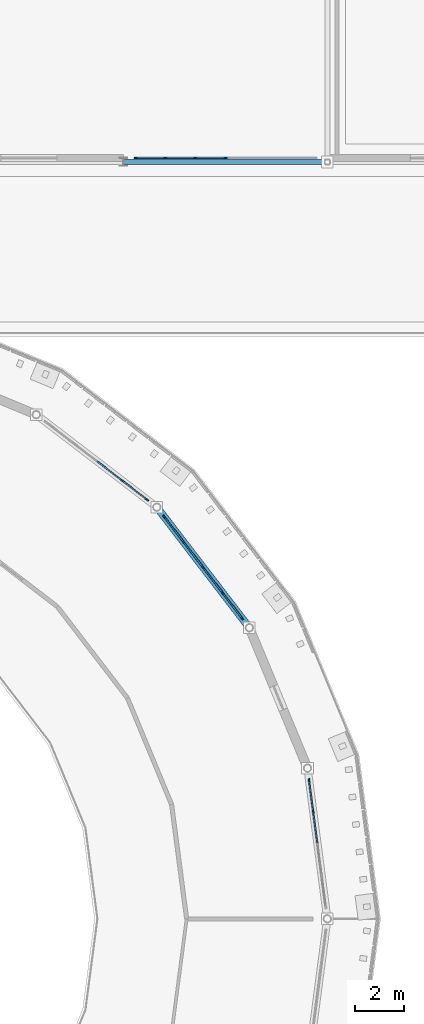
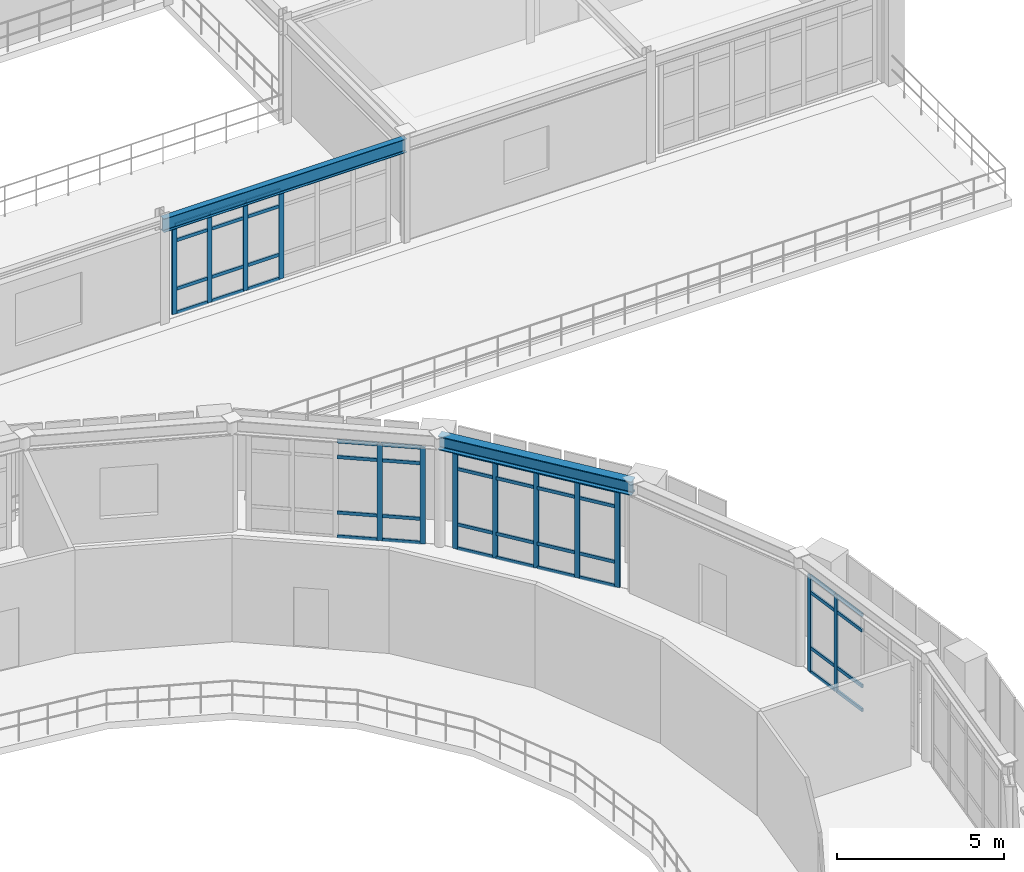
# One storey, part 28 of 58: 57 members, 2 beams, 4 elements without a shape of their own.
"""IFC4 building model written with IfcOpenShell, lengths in metres."""

from ifc_helpers import new_model, si_unit, derived_unit, direction, frame, origin, origin_2d, place, context, subcontext, project, spatial, rectangle, i_section, extrude, material, layer, layer_set, material_profile, profile_set, type_object, element, aggregate, save


model = new_model("IFC4")

# Units and contexts
model_context = context("Model", 3, precision=1e-05, world=origin(), true_north=direction((0.0, 1.0)))
body_context = subcontext(model_context, "Body", "Model", "MODEL_VIEW")
ifc_project = project(units=[si_unit("LENGTHUNIT", "METRE"), si_unit("AREAUNIT", "SQUARE_METRE"), si_unit("VOLUMEUNIT", "CUBIC_METRE"), si_unit("PLANEANGLEUNIT", "RADIAN"), si_unit("MASSUNIT", "GRAM", prefix="KILO"), derived_unit("THERMALTRANSMITTANCEUNIT", [(si_unit("POWERUNIT", "WATT"), 1), (si_unit("AREAUNIT", "SQUARE_METRE"), -1), (si_unit("THERMODYNAMICTEMPERATUREUNIT", "KELVIN"), -1)])], contexts=[model_context])

# Site, building, storey
site_placement = place(None, origin())
site = spatial("IfcSite", under=ifc_project, at=site_placement, CompositionType="ELEMENT")
building_placement = place(site_placement, origin())
building = spatial("IfcBuilding", under=site, at=building_placement, Name="Yasenodar Specialist Clinic", CompositionType="ELEMENT")
storey_placement = place(building_placement, frame((0.0, 0.0, 17.25)))
storey = spatial("IfcBuildingStorey", under=building, at=storey_placement, Name="L04", CompositionType="ELEMENT", Elevation=17.25)

# Beams
ifc_material_1 = material(Name="Steel S355", Category="steel")
ifc_material_profile_1 = material_profile(ifc_material_1, i_section(OverallWidth=0.300048828125, OverallDepth=0.5, WebThickness=0.014404296875, FlangeThickness=0.028076171875, FilletRadius=0.027099609375, at=origin_2d()), Name="HEB 500")
ifc_profile_set_1 = profile_set([ifc_material_profile_1], Name="Steel S355")
beam_type_1 = type_object("IfcBeamType", Name="BM-HEB500", PredefinedType="BEAM", material=ifc_profile_set_1)
beam_1_placement = place(storey_placement, frame((101.78466796875, 70.800048828125, 3.800048828125), z_axis=(-0.608761180103, 0.793353531283, 0.0), x_axis=(-0.793353531283, -0.608761180103, 0.0)))
element("IfcBeam", 1, at=beam_1_placement, inside=storey, type_object=beam_type_1, Name="L04 Drum V1 Roof Ring Beam", PredefinedType="BEAM", context=body_context, shape_type="SweptSolid", body=[
    extrude(i_section(OverallWidth=0.300048828125, OverallDepth=0.5, WebThickness=0.014404296875, FlangeThickness=0.028076171875, FilletRadius=0.027099609375, at=origin_2d()), origin(), (0.0, 0.0, 1.0), 6.26513671875),
])
ifc_material_profile_2 = material_profile(ifc_material_1, i_section(OverallWidth=0.199951171875, OverallDepth=0.5, WebThickness=0.01025390625, FlangeThickness=0.01611328125, FilletRadius=0.02099609375, at=origin_2d()), Name="IPE 500")
ifc_profile_set_2 = profile_set([ifc_material_profile_2], Name="Steel S355")
beam_type_2 = type_object("IfcBeamType", Name="BM-IPE500", PredefinedType="BEAM", material=ifc_profile_set_2)
beam_2_placement = place(storey_placement, frame((96.60009765625, 90.0, 3.5400390625), z_axis=(1.0, 0.0, 0.0), x_axis=(0.0, 1.0, 0.0)))
element("IfcBeam", 2, at=beam_2_placement, inside=storey, type_object=beam_type_2, Name="L04 Primary E-W Girder", PredefinedType="BEAM", context=body_context, shape_type="SweptSolid", body=[
    extrude(i_section(OverallWidth=0.199951171875, OverallDepth=0.5, WebThickness=0.01025390625, FlangeThickness=0.01611328125, FilletRadius=0.02099609375, at=origin_2d()), origin(), (0.0, 0.0, 1.0), 8.39990234375),
])

# Curtain wall, members
ifc_material_2 = material(Name="Bronze Anodized Aluminium and Triple Low-E Glass", Category="aluminium")
ifc_layer_1 = layer(ifc_material_2, 0.1669921875)
ifc_layer_set_1 = layer_set([ifc_layer_1], Name="Bronze Anodized Aluminium and Triple Low-E Glass")
curtain_wall_type_1 = type_object("IfcCurtainWallType", Name="CW-SYS-01", PredefinedType="USERDEFINED", material=ifc_layer_set_1)
curtain_wall_1_placement = place(storey_placement, origin())
curtain_wall_1 = element("IfcCurtainWall", 3, at=curtain_wall_1_placement, inside=storey, type_object=curtain_wall_type_1, Name="L04 Unitised Curtain Wall 056", ObjectType="UNITISED CURTAIN WALL", PredefinedType="USERDEFINED")
ifc_material_3 = material(Name="Bronze Anodized Aluminium", Category="aluminium")
ifc_material_profile_3 = material_profile(ifc_material_3, rectangle(XDim=0.06005859375, YDim=0.159912109375, at=origin_2d()), Name="CW-MULL 60x160")
ifc_profile_set_3 = profile_set([ifc_material_profile_3], Name="Bronze Anodized Aluminium")
member_type_1 = type_object("IfcMemberType", Name="CW-MULL-160", PredefinedType="MULLION", material=ifc_profile_set_3)
member_1_placement = place(storey_placement, frame((104.248779296875, 64.506103515625, 0.0), z_axis=(0.0, 0.0, 1.0), x_axis=(0.991446787601, 0.13051156024, 0.0)))
member_1 = element("IfcMember", 4, at=member_1_placement, type_object=member_type_1, Name="CW-01 mullion 1", PredefinedType="MULLION", context=body_context, shape_type="SweptSolid", body=[
    extrude(rectangle(XDim=0.06005859375, YDim=0.159912109375, at=origin_2d()), origin(), (0.0, 0.0, 1.0), 3.528076171875),
])
member_2_placement = place(storey_placement, frame((104.41796875, 63.220703125, 0.0), z_axis=(0.0, 0.0, 1.0), x_axis=(0.991446787601, 0.13051156024, 0.0)))
member_2 = element("IfcMember", 5, at=member_2_placement, type_object=member_type_1, Name="CW-01 mullion 2", PredefinedType="MULLION", context=body_context, shape_type="SweptSolid", body=[
    extrude(rectangle(XDim=0.06005859375, YDim=0.159912109375, at=origin_2d()), origin(), (0.0, 0.0, 1.0), 3.528076171875),
])

curtain_wall_2_placement = place(storey_placement, origin())
curtain_wall_2 = element("IfcCurtainWall", 6, at=curtain_wall_2_placement, inside=storey, type_object=curtain_wall_type_1, Name="L04 Unitised Curtain Wall 057", ObjectType="UNITISED CURTAIN WALL", PredefinedType="USERDEFINED")
member_3_placement = place(storey_placement, frame((98.281005859375, 75.365966796875, 0.0), z_axis=(0.0, 0.0, 1.0), x_axis=(0.793360558574, 0.608752021844, 0.0)))
member_3 = element("IfcMember", 7, at=member_3_placement, type_object=member_type_1, Name="CW-01 mullion 1", PredefinedType="MULLION", context=body_context, shape_type="SweptSolid", body=[
    extrude(rectangle(XDim=0.06005859375, YDim=0.159912109375, at=origin_2d()), origin(), (0.0, 0.0, 1.0), 3.528076171875),
])
member_4_placement = place(storey_placement, frame((99.0703125, 74.337646484375, 0.0), z_axis=(0.0, 0.0, 1.0), x_axis=(0.793360558574, 0.608752021844, 0.0)))
member_4 = element("IfcMember", 8, at=member_4_placement, type_object=member_type_1, Name="CW-01 mullion 2", PredefinedType="MULLION", context=body_context, shape_type="SweptSolid", body=[
    extrude(rectangle(XDim=0.06005859375, YDim=0.159912109375, at=origin_2d()), origin(), (0.0, 0.0, 1.0), 3.528076171875),
])
member_5_placement = place(storey_placement, frame((99.877685546875, 73.285400390625, 0.0), z_axis=(0.0, 0.0, 1.0), x_axis=(0.793360558574, 0.608752021844, 0.0)))
member_5 = element("IfcMember", 9, at=member_5_placement, type_object=member_type_1, Name="CW-01 mullion 3", PredefinedType="MULLION", context=body_context, shape_type="SweptSolid", body=[
    extrude(rectangle(XDim=0.06005859375, YDim=0.159912109375, at=origin_2d()), origin(), (0.0, 0.0, 1.0), 3.528076171875),
])
member_6_placement = place(storey_placement, frame((100.68505859375, 72.233154296875, 0.0), z_axis=(0.0, 0.0, 1.0), x_axis=(0.793360558574, 0.608752021844, 0.0)))
member_6 = element("IfcMember", 10, at=member_6_placement, type_object=member_type_1, Name="CW-01 mullion 4", PredefinedType="MULLION", context=body_context, shape_type="SweptSolid", body=[
    extrude(rectangle(XDim=0.06005859375, YDim=0.159912109375, at=origin_2d()), origin(), (0.0, 0.0, 1.0), 3.528076171875),
])
member_7_placement = place(storey_placement, frame((101.47412109375, 71.20458984375, 0.0), z_axis=(0.0, 0.0, 1.0), x_axis=(0.793360558574, 0.608752021844, 0.0)))
member_7 = element("IfcMember", 11, at=member_7_placement, type_object=member_type_1, Name="CW-01 mullion 5", PredefinedType="MULLION", context=body_context, shape_type="SweptSolid", body=[
    extrude(rectangle(XDim=0.06005859375, YDim=0.159912109375, at=origin_2d()), origin(), (0.0, 0.0, 1.0), 3.528076171875),
])

curtain_wall_3_placement = place(storey_placement, origin())
curtain_wall_3 = element("IfcCurtainWall", 12, at=curtain_wall_3_placement, inside=storey, type_object=curtain_wall_type_1, Name="L04 Unitised Curtain Wall 058", ObjectType="UNITISED CURTAIN WALL", PredefinedType="USERDEFINED")
member_8_placement = place(storey_placement, frame((96.53759765625, 76.8701171875, 0.0), z_axis=(0.0, 0.0, 1.0), x_axis=(0.608752021844, 0.793360558574, 0.0)))
member_8 = element("IfcMember", 13, at=member_8_placement, type_object=member_type_1, Name="CW-01 mullion 4", PredefinedType="MULLION", context=body_context, shape_type="SweptSolid", body=[
    extrude(rectangle(XDim=0.06005859375, YDim=0.159912109375, at=origin_2d()), origin(), (0.0, 0.0, 1.0), 3.528076171875),
])
member_9_placement = place(storey_placement, frame((97.56591796875, 76.0810546875, 0.0), z_axis=(0.0, 0.0, 1.0), x_axis=(0.608752021844, 0.793360558574, 0.0)))
member_9 = element("IfcMember", 14, at=member_9_placement, type_object=member_type_1, Name="CW-01 mullion 5", PredefinedType="MULLION", context=body_context, shape_type="SweptSolid", body=[
    extrude(rectangle(XDim=0.06005859375, YDim=0.159912109375, at=origin_2d()), origin(), (0.0, 0.0, 1.0), 3.528076171875),
])

ifc_layer_2 = layer(ifc_material_2, 0.215087890625)
ifc_layer_set_2 = layer_set([ifc_layer_2], Name="Bronze Anodized Aluminium and Triple Low-E Glass")
curtain_wall_type_2 = type_object("IfcCurtainWallType", Name="CW-SYS-05", PredefinedType="USERDEFINED", material=ifc_layer_set_2)
curtain_wall_4_placement = place(storey_placement, origin())
curtain_wall_4 = element("IfcCurtainWall", 15, at=curtain_wall_4_placement, inside=storey, type_object=curtain_wall_type_2, Name="L04 Unitised Curtain Wall 163", ObjectType="UNITISED CURTAIN WALL", PredefinedType="USERDEFINED")
member_10_placement = place(storey_placement, frame((100.800048828125, 90.169921875, 0.0), z_axis=(0.0, 0.0, 1.0), x_axis=(0.0, -1.0, 0.0)))
member_10 = element("IfcMember", 16, at=member_10_placement, type_object=member_type_1, Name="CW-05 mullion 4", PredefinedType="MULLION", context=body_context, shape_type="SweptSolid", body=[
    extrude(rectangle(XDim=0.06005859375, YDim=0.159912109375, at=origin_2d()), origin(), (0.0, 0.0, 1.0), 3.26806640625),
])
member_11_placement = place(storey_placement, frame((99.56005859375, 90.169921875, 0.0), z_axis=(0.0, 0.0, 1.0), x_axis=(0.0, -1.0, 0.0)))
member_11 = element("IfcMember", 17, at=member_11_placement, type_object=member_type_1, Name="CW-05 mullion 5", PredefinedType="MULLION", context=body_context, shape_type="SweptSolid", body=[
    extrude(rectangle(XDim=0.06005859375, YDim=0.159912109375, at=origin_2d()), origin(), (0.0, 0.0, 1.0), 3.26806640625),
])
member_12_placement = place(storey_placement, frame((98.320068359375, 90.169921875, 0.0), z_axis=(0.0, 0.0, 1.0), x_axis=(0.0, -1.0, 0.0)))
member_12 = element("IfcMember", 18, at=member_12_placement, type_object=member_type_1, Name="CW-05 mullion 6", PredefinedType="MULLION", context=body_context, shape_type="SweptSolid", body=[
    extrude(rectangle(XDim=0.06005859375, YDim=0.159912109375, at=origin_2d()), origin(), (0.0, 0.0, 1.0), 3.26806640625),
])
member_13_placement = place(storey_placement, frame((97.110107421875, 90.169921875, 0.0), z_axis=(0.0, 0.0, 1.0), x_axis=(0.0, -1.0, 0.0)))
member_13 = element("IfcMember", 19, at=member_13_placement, type_object=member_type_1, Name="CW-05 mullion 7", PredefinedType="MULLION", context=body_context, shape_type="SweptSolid", body=[
    extrude(rectangle(XDim=0.06005859375, YDim=0.159912109375, at=origin_2d()), origin(), (0.0, 0.0, 1.0), 3.26806640625),
])

# Member
ifc_material_profile_4 = material_profile(ifc_material_3, rectangle(XDim=0.06005859375, YDim=0.1201171875, at=origin_2d()), Name="CW-TRAN 60x120")
ifc_profile_set_4 = profile_set([ifc_material_profile_4], Name="Bronze Anodized Aluminium")
member_type_2 = type_object("IfcMemberType", Name="CW-TRAN-120", PredefinedType="USERDEFINED", material=ifc_profile_set_4)
member_14_placement = place(storey_placement, frame((104.252685546875, 64.476318359375, 0.030029296875), z_axis=(0.130520914683, -0.99144555616, 0.0), x_axis=(0.99144555616, 0.130520914683, 0.0)))
member_14 = element("IfcMember", 20, at=member_14_placement, type_object=member_type_2, Name="CW-01 transom 1.1", ObjectType="TRANSOM", PredefinedType="USERDEFINED", context=body_context, shape_type="SweptSolid", body=[
    extrude(rectangle(XDim=0.06005859375, YDim=0.1201171875, at=origin_2d()), origin(), (0.0, 0.0, 1.0), 1.236328125),
])

member_15_placement = place(storey_placement, frame((104.252685546875, 64.476318359375, 0.89990234375), z_axis=(0.130520914683, -0.99144555616, 0.0), x_axis=(0.99144555616, 0.130520914683, 0.0)))
member_15 = element("IfcMember", 21, at=member_15_placement, type_object=member_type_2, Name="CW-01 transom 1.2", ObjectType="TRANSOM", PredefinedType="USERDEFINED", context=body_context, shape_type="SweptSolid", body=[
    extrude(rectangle(XDim=0.06005859375, YDim=0.1201171875, at=origin_2d()), origin(), (0.0, 0.0, 1.0), 1.236328125),
])

member_16_placement = place(storey_placement, frame((104.252685546875, 64.476318359375, 2.927978515625), z_axis=(0.130520914683, -0.99144555616, 0.0), x_axis=(0.99144555616, 0.130520914683, 0.0)))
member_16 = element("IfcMember", 22, at=member_16_placement, type_object=member_type_2, Name="CW-01 transom 1.3", ObjectType="TRANSOM", PredefinedType="USERDEFINED", context=body_context, shape_type="SweptSolid", body=[
    extrude(rectangle(XDim=0.06005859375, YDim=0.1201171875, at=origin_2d()), origin(), (0.0, 0.0, 1.0), 1.236328125),
])

member_17_placement = place(storey_placement, frame((104.252685546875, 64.476318359375, 3.498046875), z_axis=(0.130520914683, -0.99144555616, 0.0), x_axis=(0.99144555616, 0.130520914683, 0.0)))
member_17 = element("IfcMember", 23, at=member_17_placement, type_object=member_type_2, Name="CW-01 transom 1.4", ObjectType="TRANSOM", PredefinedType="USERDEFINED", context=body_context, shape_type="SweptSolid", body=[
    extrude(rectangle(XDim=0.06005859375, YDim=0.1201171875, at=origin_2d()), origin(), (0.0, 0.0, 1.0), 1.236328125),
])

member_18_placement = place(storey_placement, frame((104.421875, 63.191162109375, 0.030029296875), z_axis=(0.13050936627, -0.991447076407, 0.0), x_axis=(0.991447076407, 0.13050936627, 0.0)))
member_18 = element("IfcMember", 24, at=member_18_placement, type_object=member_type_2, Name="CW-01 transom 2.1", ObjectType="TRANSOM", PredefinedType="USERDEFINED", context=body_context, shape_type="SweptSolid", body=[
    extrude(rectangle(XDim=0.06005859375, YDim=0.1201171875, at=origin_2d()), origin(), (0.0, 0.0, 1.0), 1.266357421875),
])

member_19_placement = place(storey_placement, frame((104.421875, 63.191162109375, 0.89990234375), z_axis=(0.13050936627, -0.991447076407, 0.0), x_axis=(0.991447076407, 0.13050936627, 0.0)))
member_19 = element("IfcMember", 25, at=member_19_placement, type_object=member_type_2, Name="CW-01 transom 2.2", ObjectType="TRANSOM", PredefinedType="USERDEFINED", context=body_context, shape_type="SweptSolid", body=[
    extrude(rectangle(XDim=0.06005859375, YDim=0.1201171875, at=origin_2d()), origin(), (0.0, 0.0, 1.0), 1.266357421875),
])

member_20_placement = place(storey_placement, frame((104.421875, 63.191162109375, 2.927978515625), z_axis=(0.13050936627, -0.991447076407, 0.0), x_axis=(0.991447076407, 0.13050936627, 0.0)))
member_20 = element("IfcMember", 26, at=member_20_placement, type_object=member_type_2, Name="CW-01 transom 2.3", ObjectType="TRANSOM", PredefinedType="USERDEFINED", context=body_context, shape_type="SweptSolid", body=[
    extrude(rectangle(XDim=0.06005859375, YDim=0.1201171875, at=origin_2d()), origin(), (0.0, 0.0, 1.0), 1.266357421875),
])

member_21_placement = place(storey_placement, frame((104.421875, 63.191162109375, 3.498046875), z_axis=(0.13050936627, -0.991447076407, 0.0), x_axis=(0.991447076407, 0.13050936627, 0.0)))
member_21 = element("IfcMember", 27, at=member_21_placement, type_object=member_type_2, Name="CW-01 transom 2.4", ObjectType="TRANSOM", PredefinedType="USERDEFINED", context=body_context, shape_type="SweptSolid", body=[
    extrude(rectangle(XDim=0.06005859375, YDim=0.1201171875, at=origin_2d()), origin(), (0.0, 0.0, 1.0), 1.266357421875),
])

aggregate(curtain_wall_1, [member_1, member_2, member_14, member_15, member_16, member_17, member_18, member_19, member_20, member_21])

member_22_placement = place(storey_placement, frame((98.29931640625, 75.34228515625, 0.030029296875), z_axis=(0.608746535642, -0.793364768151, 0.0), x_axis=(0.793364768151, 0.608746535642, 0.0)))
member_22 = element("IfcMember", 28, at=member_22_placement, type_object=member_type_2, Name="CW-01 transom 1.1", ObjectType="TRANSOM", PredefinedType="USERDEFINED", context=body_context, shape_type="SweptSolid", body=[
    extrude(rectangle(XDim=0.06005859375, YDim=0.1201171875, at=origin_2d()), origin(), (0.0, 0.0, 1.0), 1.236572265625),
])

member_23_placement = place(storey_placement, frame((98.29931640625, 75.34228515625, 0.89990234375), z_axis=(0.608746535642, -0.793364768151, 0.0), x_axis=(0.793364768151, 0.608746535642, 0.0)))
member_23 = element("IfcMember", 29, at=member_23_placement, type_object=member_type_2, Name="CW-01 transom 1.2", ObjectType="TRANSOM", PredefinedType="USERDEFINED", context=body_context, shape_type="SweptSolid", body=[
    extrude(rectangle(XDim=0.06005859375, YDim=0.1201171875, at=origin_2d()), origin(), (0.0, 0.0, 1.0), 1.236572265625),
])

member_24_placement = place(storey_placement, frame((98.29931640625, 75.34228515625, 2.927978515625), z_axis=(0.608746535642, -0.793364768151, 0.0), x_axis=(0.793364768151, 0.608746535642, 0.0)))
member_24 = element("IfcMember", 30, at=member_24_placement, type_object=member_type_2, Name="CW-01 transom 1.3", ObjectType="TRANSOM", PredefinedType="USERDEFINED", context=body_context, shape_type="SweptSolid", body=[
    extrude(rectangle(XDim=0.06005859375, YDim=0.1201171875, at=origin_2d()), origin(), (0.0, 0.0, 1.0), 1.236572265625),
])

member_25_placement = place(storey_placement, frame((98.29931640625, 75.34228515625, 3.498046875), z_axis=(0.608746535642, -0.793364768151, 0.0), x_axis=(0.793364768151, 0.608746535642, 0.0)))
member_25 = element("IfcMember", 31, at=member_25_placement, type_object=member_type_2, Name="CW-01 transom 1.4", ObjectType="TRANSOM", PredefinedType="USERDEFINED", context=body_context, shape_type="SweptSolid", body=[
    extrude(rectangle(XDim=0.06005859375, YDim=0.1201171875, at=origin_2d()), origin(), (0.0, 0.0, 1.0), 1.236572265625),
])

member_26_placement = place(storey_placement, frame((99.08837890625, 74.313720703125, 0.030029296875), z_axis=(0.608815963567, -0.793311491475, 0.0), x_axis=(0.793311491475, 0.608815963567, 0.0)))
member_26 = element("IfcMember", 32, at=member_26_placement, type_object=member_type_2, Name="CW-01 transom 2.1", ObjectType="TRANSOM", PredefinedType="USERDEFINED", context=body_context, shape_type="SweptSolid", body=[
    extrude(rectangle(XDim=0.06005859375, YDim=0.1201171875, at=origin_2d()), origin(), (0.0, 0.0, 1.0), 1.266357421875),
])

member_27_placement = place(storey_placement, frame((99.08837890625, 74.313720703125, 0.89990234375), z_axis=(0.608815963567, -0.793311491475, 0.0), x_axis=(0.793311491475, 0.608815963567, 0.0)))
member_27 = element("IfcMember", 33, at=member_27_placement, type_object=member_type_2, Name="CW-01 transom 2.2", ObjectType="TRANSOM", PredefinedType="USERDEFINED", context=body_context, shape_type="SweptSolid", body=[
    extrude(rectangle(XDim=0.06005859375, YDim=0.1201171875, at=origin_2d()), origin(), (0.0, 0.0, 1.0), 1.266357421875),
])

member_28_placement = place(storey_placement, frame((99.08837890625, 74.313720703125, 2.927978515625), z_axis=(0.608815963567, -0.793311491475, 0.0), x_axis=(0.793311491475, 0.608815963567, 0.0)))
member_28 = element("IfcMember", 34, at=member_28_placement, type_object=member_type_2, Name="CW-01 transom 2.3", ObjectType="TRANSOM", PredefinedType="USERDEFINED", context=body_context, shape_type="SweptSolid", body=[
    extrude(rectangle(XDim=0.06005859375, YDim=0.1201171875, at=origin_2d()), origin(), (0.0, 0.0, 1.0), 1.266357421875),
])

member_29_placement = place(storey_placement, frame((99.08837890625, 74.313720703125, 3.498046875), z_axis=(0.608815963567, -0.793311491475, 0.0), x_axis=(0.793311491475, 0.608815963567, 0.0)))
member_29 = element("IfcMember", 35, at=member_29_placement, type_object=member_type_2, Name="CW-01 transom 2.4", ObjectType="TRANSOM", PredefinedType="USERDEFINED", context=body_context, shape_type="SweptSolid", body=[
    extrude(rectangle(XDim=0.06005859375, YDim=0.1201171875, at=origin_2d()), origin(), (0.0, 0.0, 1.0), 1.266357421875),
])

member_30_placement = place(storey_placement, frame((99.895751953125, 73.261474609375, 0.030029296875), z_axis=(0.608815963567, -0.793311491475, 0.0), x_axis=(0.793311491475, 0.608815963567, 0.0)))
member_30 = element("IfcMember", 36, at=member_30_placement, type_object=member_type_2, Name="CW-01 transom 3.1", ObjectType="TRANSOM", PredefinedType="USERDEFINED", context=body_context, shape_type="SweptSolid", body=[
    extrude(rectangle(XDim=0.06005859375, YDim=0.1201171875, at=origin_2d()), origin(), (0.0, 0.0, 1.0), 1.266357421875),
])

member_31_placement = place(storey_placement, frame((99.895751953125, 73.261474609375, 0.89990234375), z_axis=(0.608815963567, -0.793311491475, 0.0), x_axis=(0.793311491475, 0.608815963567, 0.0)))
member_31 = element("IfcMember", 37, at=member_31_placement, type_object=member_type_2, Name="CW-01 transom 3.2", ObjectType="TRANSOM", PredefinedType="USERDEFINED", context=body_context, shape_type="SweptSolid", body=[
    extrude(rectangle(XDim=0.06005859375, YDim=0.1201171875, at=origin_2d()), origin(), (0.0, 0.0, 1.0), 1.266357421875),
])

member_32_placement = place(storey_placement, frame((99.895751953125, 73.261474609375, 2.927978515625), z_axis=(0.608815963567, -0.793311491475, 0.0), x_axis=(0.793311491475, 0.608815963567, 0.0)))
member_32 = element("IfcMember", 38, at=member_32_placement, type_object=member_type_2, Name="CW-01 transom 3.3", ObjectType="TRANSOM", PredefinedType="USERDEFINED", context=body_context, shape_type="SweptSolid", body=[
    extrude(rectangle(XDim=0.06005859375, YDim=0.1201171875, at=origin_2d()), origin(), (0.0, 0.0, 1.0), 1.266357421875),
])

member_33_placement = place(storey_placement, frame((99.895751953125, 73.261474609375, 3.498046875), z_axis=(0.608815963567, -0.793311491475, 0.0), x_axis=(0.793311491475, 0.608815963567, 0.0)))
member_33 = element("IfcMember", 39, at=member_33_placement, type_object=member_type_2, Name="CW-01 transom 3.4", ObjectType="TRANSOM", PredefinedType="USERDEFINED", context=body_context, shape_type="SweptSolid", body=[
    extrude(rectangle(XDim=0.06005859375, YDim=0.1201171875, at=origin_2d()), origin(), (0.0, 0.0, 1.0), 1.266357421875),
])

member_34_placement = place(storey_placement, frame((100.703369140625, 72.209228515625, 0.030029296875), z_axis=(0.608717606417, -0.793386964626, 0.0), x_axis=(0.793386964626, 0.608717606417, 0.0)))
member_34 = element("IfcMember", 40, at=member_34_placement, type_object=member_type_2, Name="CW-01 transom 4.1", ObjectType="TRANSOM", PredefinedType="USERDEFINED", context=body_context, shape_type="SweptSolid", body=[
    extrude(rectangle(XDim=0.06005859375, YDim=0.1201171875, at=origin_2d()), origin(), (0.0, 0.0, 1.0), 1.236083984375),
])

member_35_placement = place(storey_placement, frame((100.703369140625, 72.209228515625, 0.89990234375), z_axis=(0.608717606417, -0.793386964626, 0.0), x_axis=(0.793386964626, 0.608717606417, 0.0)))
member_35 = element("IfcMember", 41, at=member_35_placement, type_object=member_type_2, Name="CW-01 transom 4.2", ObjectType="TRANSOM", PredefinedType="USERDEFINED", context=body_context, shape_type="SweptSolid", body=[
    extrude(rectangle(XDim=0.06005859375, YDim=0.1201171875, at=origin_2d()), origin(), (0.0, 0.0, 1.0), 1.236083984375),
])

member_36_placement = place(storey_placement, frame((100.703369140625, 72.209228515625, 2.927978515625), z_axis=(0.608717606417, -0.793386964626, 0.0), x_axis=(0.793386964626, 0.608717606417, 0.0)))
member_36 = element("IfcMember", 42, at=member_36_placement, type_object=member_type_2, Name="CW-01 transom 4.3", ObjectType="TRANSOM", PredefinedType="USERDEFINED", context=body_context, shape_type="SweptSolid", body=[
    extrude(rectangle(XDim=0.06005859375, YDim=0.1201171875, at=origin_2d()), origin(), (0.0, 0.0, 1.0), 1.236083984375),
])

member_37_placement = place(storey_placement, frame((100.703369140625, 72.209228515625, 3.498046875), z_axis=(0.608717606417, -0.793386964626, 0.0), x_axis=(0.793386964626, 0.608717606417, 0.0)))
member_37 = element("IfcMember", 43, at=member_37_placement, type_object=member_type_2, Name="CW-01 transom 4.4", ObjectType="TRANSOM", PredefinedType="USERDEFINED", context=body_context, shape_type="SweptSolid", body=[
    extrude(rectangle(XDim=0.06005859375, YDim=0.1201171875, at=origin_2d()), origin(), (0.0, 0.0, 1.0), 1.236083984375),
])

aggregate(curtain_wall_2, [member_3, member_4, member_5, member_6, member_7, member_22, member_23, member_24, member_25, member_26, member_27, member_28, member_29, member_30, member_31, member_32, member_33, member_34, member_35, member_36, member_37])

member_38_placement = place(storey_placement, frame((95.509033203125, 77.659423828125, 0.030029296875), z_axis=(0.793311491475, -0.608815963567, 0.0), x_axis=(0.608815963567, 0.793311491475, 0.0)))
member_38 = element("IfcMember", 44, at=member_38_placement, type_object=member_type_2, Name="CW-01 transom 3.1", ObjectType="TRANSOM", PredefinedType="USERDEFINED", context=body_context, shape_type="SweptSolid", body=[
    extrude(rectangle(XDim=0.06005859375, YDim=0.1201171875, at=origin_2d()), origin(), (0.0, 0.0, 1.0), 1.266357421875),
])

member_39_placement = place(storey_placement, frame((95.509033203125, 77.659423828125, 0.89990234375), z_axis=(0.793311491475, -0.608815963567, 0.0), x_axis=(0.608815963567, 0.793311491475, 0.0)))
member_39 = element("IfcMember", 45, at=member_39_placement, type_object=member_type_2, Name="CW-01 transom 3.2", ObjectType="TRANSOM", PredefinedType="USERDEFINED", context=body_context, shape_type="SweptSolid", body=[
    extrude(rectangle(XDim=0.06005859375, YDim=0.1201171875, at=origin_2d()), origin(), (0.0, 0.0, 1.0), 1.266357421875),
])

member_40_placement = place(storey_placement, frame((95.509033203125, 77.659423828125, 2.927978515625), z_axis=(0.793311491475, -0.608815963567, 0.0), x_axis=(0.608815963567, 0.793311491475, 0.0)))
member_40 = element("IfcMember", 46, at=member_40_placement, type_object=member_type_2, Name="CW-01 transom 3.3", ObjectType="TRANSOM", PredefinedType="USERDEFINED", context=body_context, shape_type="SweptSolid", body=[
    extrude(rectangle(XDim=0.06005859375, YDim=0.1201171875, at=origin_2d()), origin(), (0.0, 0.0, 1.0), 1.266357421875),
])

member_41_placement = place(storey_placement, frame((95.509033203125, 77.659423828125, 3.498046875), z_axis=(0.793311491475, -0.608815963567, 0.0), x_axis=(0.608815963567, 0.793311491475, 0.0)))
member_41 = element("IfcMember", 47, at=member_41_placement, type_object=member_type_2, Name="CW-01 transom 3.4", ObjectType="TRANSOM", PredefinedType="USERDEFINED", context=body_context, shape_type="SweptSolid", body=[
    extrude(rectangle(XDim=0.06005859375, YDim=0.1201171875, at=origin_2d()), origin(), (0.0, 0.0, 1.0), 1.266357421875),
])

member_42_placement = place(storey_placement, frame((96.561279296875, 76.85205078125, 0.030029296875), z_axis=(0.793364768151, -0.608746535642, 0.0), x_axis=(0.608746535642, 0.793364768151, 0.0)))
member_42 = element("IfcMember", 48, at=member_42_placement, type_object=member_type_2, Name="CW-01 transom 4.1", ObjectType="TRANSOM", PredefinedType="USERDEFINED", context=body_context, shape_type="SweptSolid", body=[
    extrude(rectangle(XDim=0.06005859375, YDim=0.1201171875, at=origin_2d()), origin(), (0.0, 0.0, 1.0), 1.236572265625),
])

member_43_placement = place(storey_placement, frame((96.561279296875, 76.85205078125, 0.89990234375), z_axis=(0.793364768151, -0.608746535642, 0.0), x_axis=(0.608746535642, 0.793364768151, 0.0)))
member_43 = element("IfcMember", 49, at=member_43_placement, type_object=member_type_2, Name="CW-01 transom 4.2", ObjectType="TRANSOM", PredefinedType="USERDEFINED", context=body_context, shape_type="SweptSolid", body=[
    extrude(rectangle(XDim=0.06005859375, YDim=0.1201171875, at=origin_2d()), origin(), (0.0, 0.0, 1.0), 1.236572265625),
])

member_44_placement = place(storey_placement, frame((96.561279296875, 76.85205078125, 2.927978515625), z_axis=(0.793364768151, -0.608746535642, 0.0), x_axis=(0.608746535642, 0.793364768151, 0.0)))
member_44 = element("IfcMember", 50, at=member_44_placement, type_object=member_type_2, Name="CW-01 transom 4.3", ObjectType="TRANSOM", PredefinedType="USERDEFINED", context=body_context, shape_type="SweptSolid", body=[
    extrude(rectangle(XDim=0.06005859375, YDim=0.1201171875, at=origin_2d()), origin(), (0.0, 0.0, 1.0), 1.236572265625),
])

member_45_placement = place(storey_placement, frame((96.561279296875, 76.85205078125, 3.498046875), z_axis=(0.793364768151, -0.608746535642, 0.0), x_axis=(0.608746535642, 0.793364768151, 0.0)))
member_45 = element("IfcMember", 51, at=member_45_placement, type_object=member_type_2, Name="CW-01 transom 4.4", ObjectType="TRANSOM", PredefinedType="USERDEFINED", context=body_context, shape_type="SweptSolid", body=[
    extrude(rectangle(XDim=0.06005859375, YDim=0.1201171875, at=origin_2d()), origin(), (0.0, 0.0, 1.0), 1.236572265625),
])

aggregate(curtain_wall_3, [member_8, member_9, member_38, member_39, member_40, member_41, member_42, member_43, member_44, member_45])

member_46_placement = place(storey_placement, frame((100.77001953125, 90.169921875, 0.030029296875), z_axis=(-1.0, 0.0, 0.0), x_axis=(0.0, -1.0, 0.0)))
member_46 = element("IfcMember", 52, at=member_46_placement, type_object=member_type_2, Name="CW-05 transom 4.1", ObjectType="TRANSOM", PredefinedType="USERDEFINED", context=body_context, shape_type="SweptSolid", body=[
    extrude(rectangle(XDim=0.06005859375, YDim=0.1201171875, at=origin_2d()), origin(), (0.0, 0.0, 1.0), 1.179931640625),
])

member_47_placement = place(storey_placement, frame((100.77001953125, 90.169921875, 0.89990234375), z_axis=(-1.0, 0.0, 0.0), x_axis=(0.0, -1.0, 0.0)))
member_47 = element("IfcMember", 53, at=member_47_placement, type_object=member_type_2, Name="CW-05 transom 4.2", ObjectType="TRANSOM", PredefinedType="USERDEFINED", context=body_context, shape_type="SweptSolid", body=[
    extrude(rectangle(XDim=0.06005859375, YDim=0.1201171875, at=origin_2d()), origin(), (0.0, 0.0, 1.0), 1.179931640625),
])

member_48_placement = place(storey_placement, frame((100.77001953125, 90.169921875, 2.66796875), z_axis=(-1.0, 0.0, 0.0), x_axis=(0.0, -1.0, 0.0)))
member_48 = element("IfcMember", 54, at=member_48_placement, type_object=member_type_2, Name="CW-05 transom 4.3", ObjectType="TRANSOM", PredefinedType="USERDEFINED", context=body_context, shape_type="SweptSolid", body=[
    extrude(rectangle(XDim=0.06005859375, YDim=0.1201171875, at=origin_2d()), origin(), (0.0, 0.0, 1.0), 1.179931640625),
])

member_49_placement = place(storey_placement, frame((100.77001953125, 90.169921875, 3.238037109375), z_axis=(-1.0, 0.0, 0.0), x_axis=(0.0, -1.0, 0.0)))
member_49 = element("IfcMember", 55, at=member_49_placement, type_object=member_type_2, Name="CW-05 transom 4.4", ObjectType="TRANSOM", PredefinedType="USERDEFINED", context=body_context, shape_type="SweptSolid", body=[
    extrude(rectangle(XDim=0.06005859375, YDim=0.1201171875, at=origin_2d()), origin(), (0.0, 0.0, 1.0), 1.179931640625),
])

member_50_placement = place(storey_placement, frame((99.530029296875, 90.169921875, 0.030029296875), z_axis=(-1.0, 0.0, 0.0), x_axis=(0.0, -1.0, 0.0)))
member_50 = element("IfcMember", 56, at=member_50_placement, type_object=member_type_2, Name="CW-05 transom 5.1", ObjectType="TRANSOM", PredefinedType="USERDEFINED", context=body_context, shape_type="SweptSolid", body=[
    extrude(rectangle(XDim=0.06005859375, YDim=0.1201171875, at=origin_2d()), origin(), (0.0, 0.0, 1.0), 1.179931640625),
])

member_51_placement = place(storey_placement, frame((99.530029296875, 90.169921875, 0.89990234375), z_axis=(-1.0, 0.0, 0.0), x_axis=(0.0, -1.0, 0.0)))
member_51 = element("IfcMember", 57, at=member_51_placement, type_object=member_type_2, Name="CW-05 transom 5.2", ObjectType="TRANSOM", PredefinedType="USERDEFINED", context=body_context, shape_type="SweptSolid", body=[
    extrude(rectangle(XDim=0.06005859375, YDim=0.1201171875, at=origin_2d()), origin(), (0.0, 0.0, 1.0), 1.179931640625),
])

member_52_placement = place(storey_placement, frame((99.530029296875, 90.169921875, 2.66796875), z_axis=(-1.0, 0.0, 0.0), x_axis=(0.0, -1.0, 0.0)))
member_52 = element("IfcMember", 58, at=member_52_placement, type_object=member_type_2, Name="CW-05 transom 5.3", ObjectType="TRANSOM", PredefinedType="USERDEFINED", context=body_context, shape_type="SweptSolid", body=[
    extrude(rectangle(XDim=0.06005859375, YDim=0.1201171875, at=origin_2d()), origin(), (0.0, 0.0, 1.0), 1.179931640625),
])

member_53_placement = place(storey_placement, frame((99.530029296875, 90.169921875, 3.238037109375), z_axis=(-1.0, 0.0, 0.0), x_axis=(0.0, -1.0, 0.0)))
member_53 = element("IfcMember", 59, at=member_53_placement, type_object=member_type_2, Name="CW-05 transom 5.4", ObjectType="TRANSOM", PredefinedType="USERDEFINED", context=body_context, shape_type="SweptSolid", body=[
    extrude(rectangle(XDim=0.06005859375, YDim=0.1201171875, at=origin_2d()), origin(), (0.0, 0.0, 1.0), 1.179931640625),
])

member_54_placement = place(storey_placement, frame((98.2900390625, 90.169921875, 0.030029296875), z_axis=(-1.0, 0.0, 0.0), x_axis=(0.0, -1.0, 0.0)))
member_54 = element("IfcMember", 60, at=member_54_placement, type_object=member_type_2, Name="CW-05 transom 6.1", ObjectType="TRANSOM", PredefinedType="USERDEFINED", context=body_context, shape_type="SweptSolid", body=[
    extrude(rectangle(XDim=0.06005859375, YDim=0.1201171875, at=origin_2d()), origin(), (0.0, 0.0, 1.0), 1.150146484375),
])

member_55_placement = place(storey_placement, frame((98.2900390625, 90.169921875, 0.89990234375), z_axis=(-1.0, 0.0, 0.0), x_axis=(0.0, -1.0, 0.0)))
member_55 = element("IfcMember", 61, at=member_55_placement, type_object=member_type_2, Name="CW-05 transom 6.2", ObjectType="TRANSOM", PredefinedType="USERDEFINED", context=body_context, shape_type="SweptSolid", body=[
    extrude(rectangle(XDim=0.06005859375, YDim=0.1201171875, at=origin_2d()), origin(), (0.0, 0.0, 1.0), 1.150146484375),
])

member_56_placement = place(storey_placement, frame((98.2900390625, 90.169921875, 2.66796875), z_axis=(-1.0, 0.0, 0.0), x_axis=(0.0, -1.0, 0.0)))
member_56 = element("IfcMember", 62, at=member_56_placement, type_object=member_type_2, Name="CW-05 transom 6.3", ObjectType="TRANSOM", PredefinedType="USERDEFINED", context=body_context, shape_type="SweptSolid", body=[
    extrude(rectangle(XDim=0.06005859375, YDim=0.1201171875, at=origin_2d()), origin(), (0.0, 0.0, 1.0), 1.150146484375),
])

member_57_placement = place(storey_placement, frame((98.2900390625, 90.169921875, 3.238037109375), z_axis=(-1.0, 0.0, 0.0), x_axis=(0.0, -1.0, 0.0)))
member_57 = element("IfcMember", 63, at=member_57_placement, type_object=member_type_2, Name="CW-05 transom 6.4", ObjectType="TRANSOM", PredefinedType="USERDEFINED", context=body_context, shape_type="SweptSolid", body=[
    extrude(rectangle(XDim=0.06005859375, YDim=0.1201171875, at=origin_2d()), origin(), (0.0, 0.0, 1.0), 1.150146484375),
])

aggregate(curtain_wall_4, [member_10, member_11, member_12, member_13, member_46, member_47, member_48, member_49, member_50, member_51, member_52, member_53, member_54, member_55, member_56, member_57])

save(model, "model.ifc")
